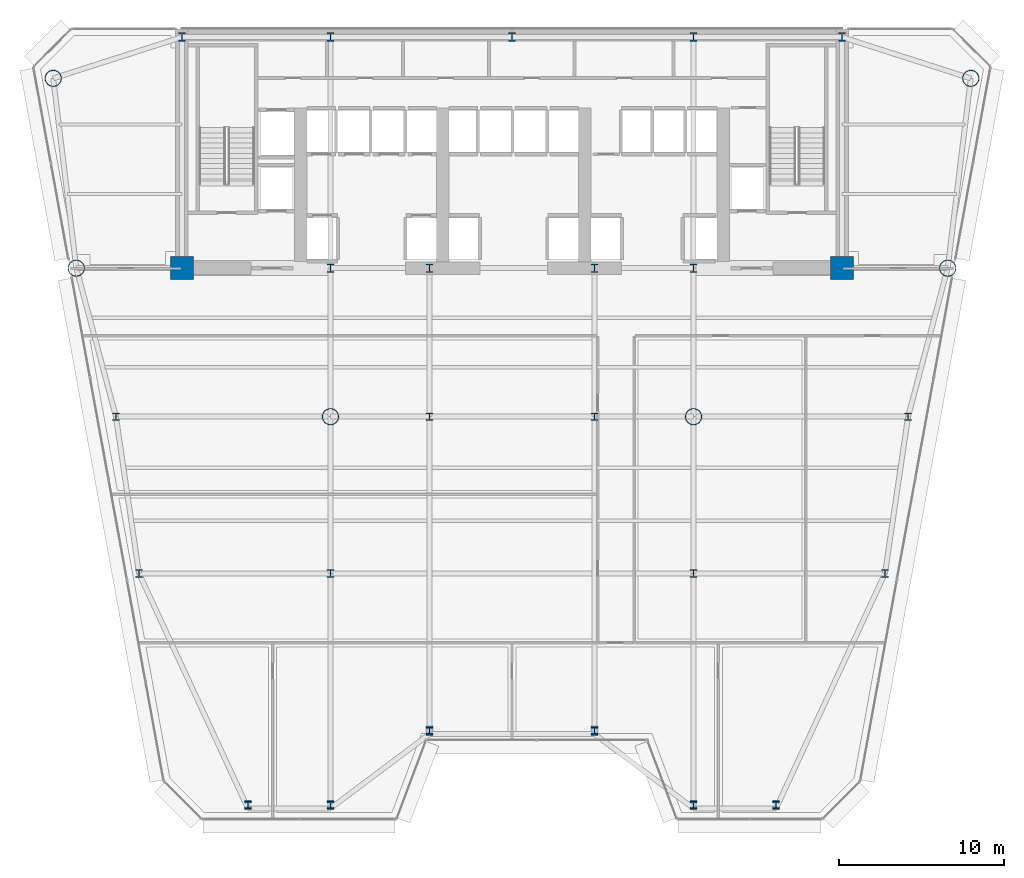
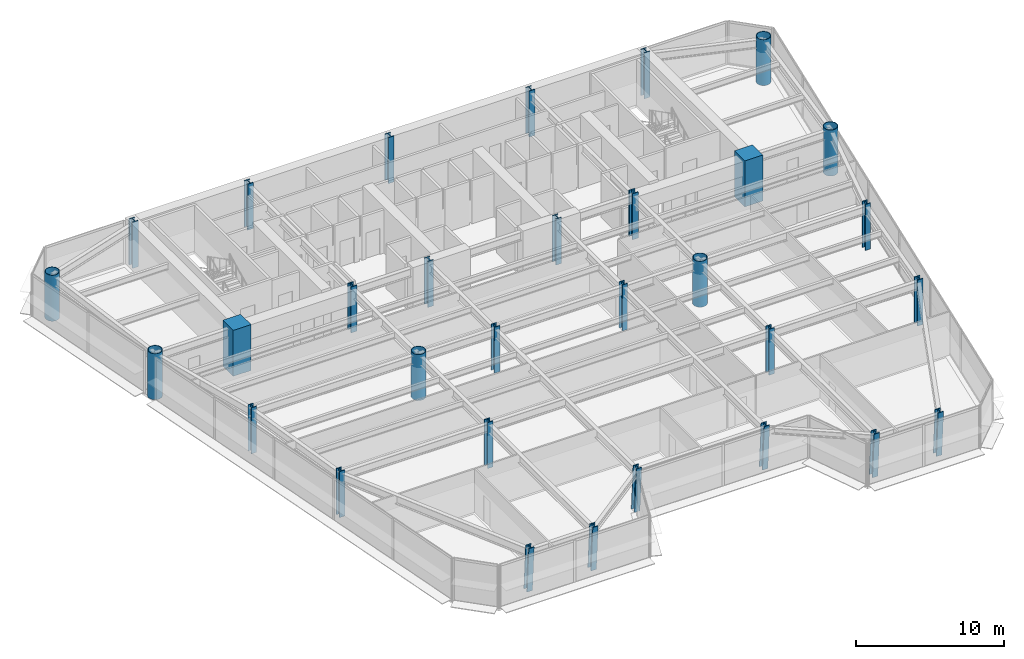
# One storey, part 1 of 15: 31 columns.
"""IFC4 building model written with IfcOpenShell, lengths in metres."""

from ifc_helpers import new_model, si_unit, direction, frame, origin, origin_2d, place, context, subcontext, project, spatial, rectangle, hollow_circle, i_section, extrude, source, transform, mapped, material, material_profile, profile_set, type_object, element, save


model = new_model("IFC4")

# Units and contexts
model_context = context("Model", 3, precision=1e-05, world=origin(), true_north=direction((0.0, 1.0)))
body_context = subcontext(model_context, "Body", "Model", "MODEL_VIEW")
ifc_project = project(units=[si_unit("LENGTHUNIT", "METRE"), si_unit("AREAUNIT", "SQUARE_METRE"), si_unit("VOLUMEUNIT", "CUBIC_METRE"), si_unit("PLANEANGLEUNIT", "RADIAN"), si_unit("MASSUNIT", "GRAM", prefix="KILO")], contexts=[model_context])

# Site, building, storey
site_placement = place(None, origin())
site = spatial("IfcSite", under=ifc_project, at=site_placement, CompositionType="ELEMENT")
building_placement = place(site_placement, origin())
building = spatial("IfcBuilding", under=site, at=building_placement, Name="Vaeldorn Concourse Tower", CompositionType="ELEMENT")
storey_placement = place(building_placement, frame((0.0, 0.0, 95.800048828125)))
storey = spatial("IfcBuildingStorey", under=building, at=storey_placement, Name="L24", CompositionType="ELEMENT", Elevation=95.800048828125)

# Columns
ifc_material_1 = material(Name="Concrete C60/75", Category="concrete")
ifc_material_profile_1 = material_profile(ifc_material_1, rectangle(XDim=1.39990234375, YDim=1.39990234375, at=origin_2d()), Name="RC 1400x1400")
ifc_profile_set_1 = profile_set([ifc_material_profile_1], Name="Concrete C60/75")
column_type_1 = type_object("IfcColumnType", Name="COL-RC1400", PredefinedType="COLUMN", material=ifc_profile_set_1)
shared_shape_1 = source(origin(), body_context, "Body", "SweptSolid", [
    extrude(rectangle(XDim=1.39990234375, YDim=1.39990234375, at=origin_2d()), origin(), (0.0, 0.0, 1.0), 3.800048828125),
])
for number, where, z_axis, x_axis, name in (
    (1, (14.0, 36.5, 0.0), (0.0, 0.0, 1.0), (1.0, 0.0, 0.0), "Column C-FC1 L24"),
    (2, (54.0, 36.5, 0.0), (0.0, 0.0, 1.0), (1.0, 0.0, 0.0), "Column C-FC6 L24"),
):
    element("IfcColumn", number, at=place(storey_placement, frame(where, z_axis=z_axis, x_axis=x_axis)), inside=storey, type_object=column_type_1, Name=name, PredefinedType="COLUMN", context=body_context, shape_type="MappedRepresentation", body=[
        mapped(shared_shape_1, transform((0.0, 0.0, 0.0), scale=1.0)),
    ])
ifc_material_2 = material(Name="Steel S460", Category="steel")
ifc_material_profile_2 = material_profile(ifc_material_2, i_section(OverallWidth=0.44189453125, OverallDepth=0.531005859375, WebThickness=0.06494140625, FlangeThickness=0.075927734375, FilletRadius=0.014892578125, at=origin_2d()), Name="HD 400x900")
ifc_profile_set_2 = profile_set([ifc_material_profile_2], Name="Steel S460")
column_type_2 = type_object("IfcColumnType", Name="COL-HD900", PredefinedType="COLUMN", material=ifc_profile_set_2)
shared_shape_2 = source(origin(), body_context, "Body", "SweptSolid", [
    extrude(i_section(OverallWidth=0.44189453125, OverallDepth=0.531005859375, WebThickness=0.06494140625, FlangeThickness=0.075927734375, FilletRadius=0.014892578125, at=origin_2d()), origin(), (0.0, 0.0, 1.0), 3.800048828125),
])
for number, where, z_axis, x_axis, name in (
    (3, (23.0, 36.5, 0.0), (0.0, 0.0, 1.0), (1.0, 0.0, 0.0), "Column C-FC2 L24"),
    (4, (29.0, 36.5, 0.0), (0.0, 0.0, 1.0), (1.0, 0.0, 0.0), "Column C-FC3 L24"),
    (5, (39.0, 36.5, 0.0), (0.0, 0.0, 1.0), (1.0, 0.0, 0.0), "Column C-FC4 L24"),
    (6, (45.0, 36.5, 0.0), (0.0, 0.0, 1.0), (1.0, 0.0, 0.0), "Column C-FC5 L24"),
    (7, (14.0, 50.5, 0.0), (0.0, 0.0, 1.0), (1.0, 0.0, 0.0), "Column C-HC1 L24"),
    (8, (23.0, 50.5, 0.0), (0.0, 0.0, 1.0), (1.0, 0.0, 0.0), "Column C-HC2 L24"),
    (9, (34.0, 50.5, 0.0), (0.0, 0.0, 1.0), (1.0, 0.0, 0.0), "Column C-HC3 L24"),
    (10, (45.0, 50.5, 0.0), (0.0, 0.0, 1.0), (1.0, 0.0, 0.0), "Column C-HC4 L24"),
    (11, (54.0, 50.5, 0.0), (0.0, 0.0, 1.0), (1.0, 0.0, 0.0), "Column C-HC5 L24"),
):
    element("IfcColumn", number, at=place(storey_placement, frame(where, z_axis=z_axis, x_axis=x_axis)), inside=storey, type_object=column_type_2, Name=name, PredefinedType="COLUMN", context=body_context, shape_type="MappedRepresentation", body=[
        mapped(shared_shape_2, transform((0.0, 0.0, 0.0), scale=1.0)),
    ])
ifc_material_profile_3 = material_profile(ifc_material_2, hollow_circle(Radius=0.508056640625, WallThickness=0.044921875, at=origin_2d()), Name="CHS 1016x45")
ifc_profile_set_3 = profile_set([ifc_material_profile_3], Name="Steel S460")
column_type_3 = type_object("IfcColumnType", Name="COL-CHS1016", PredefinedType="COLUMN", material=ifc_profile_set_3)
shared_shape_3 = source(origin(), body_context, "Body", "SweptSolid", [
    extrude(hollow_circle(Radius=0.508056640625, WallThickness=0.044921875, at=origin_2d()), origin(), (0.0, 0.0, 1.0), 3.800048828125),
])
for number, where, z_axis, x_axis, name in (
    (12, (6.199951171875, 48.0, 0.0), (0.0, 0.0, 1.0), (1.0, 0.0, 0.0), "Column C-NW1 L24"),
    (13, (7.60009765625, 36.5, 0.0), (0.0, 0.0, 1.0), (1.0, 0.0, 0.0), "Column C-NW2 L24"),
    (14, (61.800048828125, 48.0, 0.0), (0.0, 0.0, 1.0), (1.0, 0.0, 0.0), "Column C-NE1 L24"),
    (15, (60.39990234375, 36.5, 0.0), (0.0, 0.0, 1.0), (1.0, 0.0, 0.0), "Column C-NE2 L24"),
    (16, (23.0, 27.5, 0.0), (0.0, 0.0, 1.0), (1.0, 0.0, 0.0), "Column C-TW1 L24"),
    (17, (45.0, 27.5, 0.0), (0.0, 0.0, 1.0), (1.0, 0.0, 0.0), "Column C-TW4 L24"),
):
    element("IfcColumn", number, at=place(storey_placement, frame(where, z_axis=z_axis, x_axis=x_axis)), inside=storey, type_object=column_type_3, Name=name, PredefinedType="COLUMN", context=body_context, shape_type="MappedRepresentation", body=[
        mapped(shared_shape_3, transform((0.0, 0.0, 0.0), scale=1.0)),
    ])
ifc_material_profile_4 = material_profile(ifc_material_2, i_section(OverallWidth=0.424072265625, OverallDepth=0.47412109375, WebThickness=0.047119140625, FlangeThickness=0.06494140625, FilletRadius=0.014892578125, at=origin_2d()), Name="HD 400x634")
ifc_profile_set_4 = profile_set([ifc_material_profile_4], Name="Steel S460")
column_type_4 = type_object("IfcColumnType", Name="COL-HD634F", PredefinedType="COLUMN", material=ifc_profile_set_4)
shared_shape_4 = source(origin(), body_context, "Body", "SweptSolid", [
    extrude(i_section(OverallWidth=0.424072265625, OverallDepth=0.47412109375, WebThickness=0.047119140625, FlangeThickness=0.06494140625, FilletRadius=0.014892578125, at=origin_2d()), origin(), (0.0, 0.0, 1.0), 3.800048828125),
])
for number, where, z_axis, x_axis, name in (
    (18, (10.0, 27.5, 0.0), (0.0, 0.0, 1.0), (1.0, 0.0, 0.0), "Column C-FLW1 L24"),
    (19, (11.39990234375, 18.0, 0.0), (0.0, 0.0, 1.0), (1.0, 0.0, 0.0), "Column C-FLW2 L24"),
    (20, (58.0, 27.5, 0.0), (0.0, 0.0, 1.0), (1.0, 0.0, 0.0), "Column C-FLE1 L24"),
    (21, (56.60009765625, 18.0, 0.0), (0.0, 0.0, 1.0), (1.0, 0.0, 0.0), "Column C-FLE2 L24"),
):
    element("IfcColumn", number, at=place(storey_placement, frame(where, z_axis=z_axis, x_axis=x_axis)), inside=storey, type_object=column_type_4, Name=name, PredefinedType="COLUMN", context=body_context, shape_type="MappedRepresentation", body=[
        mapped(shared_shape_4, transform((0.0, 0.0, 0.0), scale=1.0)),
    ])
ifc_material_profile_5 = material_profile(ifc_material_2, i_section(OverallWidth=0.424072265625, OverallDepth=0.47412109375, WebThickness=0.047119140625, FlangeThickness=0.06494140625, FilletRadius=0.014892578125, at=origin_2d()), Name="HD 400x634")
ifc_profile_set_5 = profile_set([ifc_material_profile_5], Name="Steel S460")
column_type_5 = type_object("IfcColumnType", Name="COL-HD634T", PredefinedType="COLUMN", material=ifc_profile_set_5)
shared_shape_5 = source(origin(), body_context, "Body", "SweptSolid", [
    extrude(i_section(OverallWidth=0.424072265625, OverallDepth=0.47412109375, WebThickness=0.047119140625, FlangeThickness=0.06494140625, FilletRadius=0.014892578125, at=origin_2d()), origin(), (0.0, 0.0, 1.0), 3.800048828125),
])
for number, where, z_axis, x_axis, name in (
    (22, (29.0, 27.5, 0.0), (0.0, 0.0, 1.0), (1.0, 0.0, 0.0), "Column C-TW2 L24"),
    (23, (39.0, 27.5, 0.0), (0.0, 0.0, 1.0), (1.0, 0.0, 0.0), "Column C-TW3 L24"),
    (24, (23.0, 18.0, 0.0), (0.0, 0.0, 1.0), (1.0, 0.0, 0.0), "Column C-TW5 L24"),
    (25, (45.0, 18.0, 0.0), (0.0, 0.0, 1.0), (1.0, 0.0, 0.0), "Column C-TW6 L24"),
):
    element("IfcColumn", number, at=place(storey_placement, frame(where, z_axis=z_axis, x_axis=x_axis)), inside=storey, type_object=column_type_5, Name=name, PredefinedType="COLUMN", context=body_context, shape_type="MappedRepresentation", body=[
        mapped(shared_shape_5, transform((0.0, 0.0, 0.0), scale=1.0)),
    ])
shared_shape_6 = source(origin(), body_context, "Body", "SweptSolid", [
    extrude(i_section(OverallWidth=0.424072265625, OverallDepth=0.47412109375, WebThickness=0.047119140625, FlangeThickness=0.06494140625, FilletRadius=0.014892578125, at=origin_2d()), origin(), (0.0, 0.0, 1.0), 3.74365234375),
])
for number, where, z_axis, x_axis, name in (
    (26, (18.0, 4.008056640625, 0.031982421875), (0.0, -0.063908817043, 0.997955742057), (1.0, 0.0, 0.0), "Column C-SF1 L24"),
    (27, (23.0, 4.008056640625, 0.031982421875), (0.0, -0.063908817043, 0.997955742057), (1.0, 0.0, 0.0), "Column C-SF2 L24"),
    (28, (29.0, 8.508056640625, 0.031982421875), (0.0, -0.063908817043, 0.997955742057), (1.0, 0.0, 0.0), "Column C-SF3 L24"),
    (29, (39.0, 8.508056640625, 0.031982421875), (0.0, -0.063908817043, 0.997955742057), (1.0, 0.0, 0.0), "Column C-SF4 L24"),
    (30, (45.0, 4.008056640625, 0.031982421875), (0.0, -0.063908817043, 0.997955742057), (1.0, 0.0, 0.0), "Column C-SF5 L24"),
    (31, (50.0, 4.008056640625, 0.031982421875), (0.0, -0.063908817043, 0.997955742057), (1.0, 0.0, 0.0), "Column C-SF6 L24"),
):
    element("IfcColumn", number, at=place(storey_placement, frame(where, z_axis=z_axis, x_axis=x_axis)), inside=storey, type_object=column_type_5, Name=name, PredefinedType="COLUMN", context=body_context, shape_type="MappedRepresentation", body=[
        mapped(shared_shape_6, transform((0.0, 0.0, 0.0), scale=1.0)),
    ])

save(model, "model.ifc")
